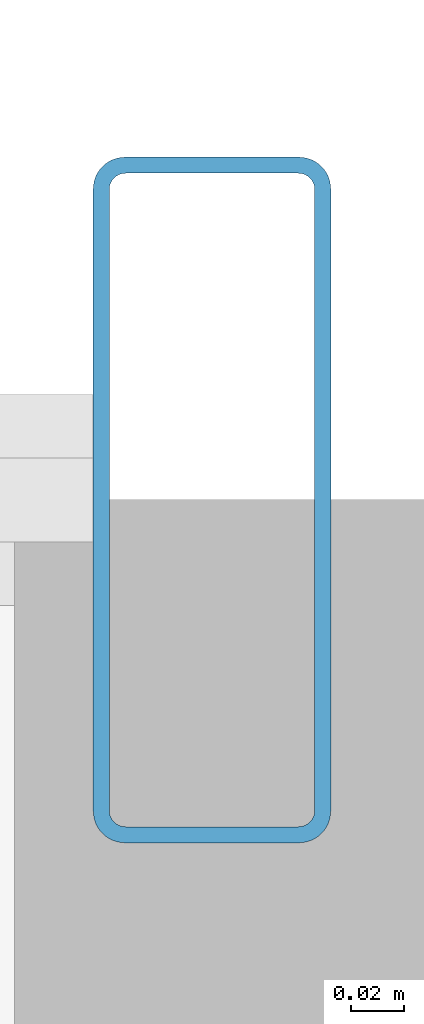
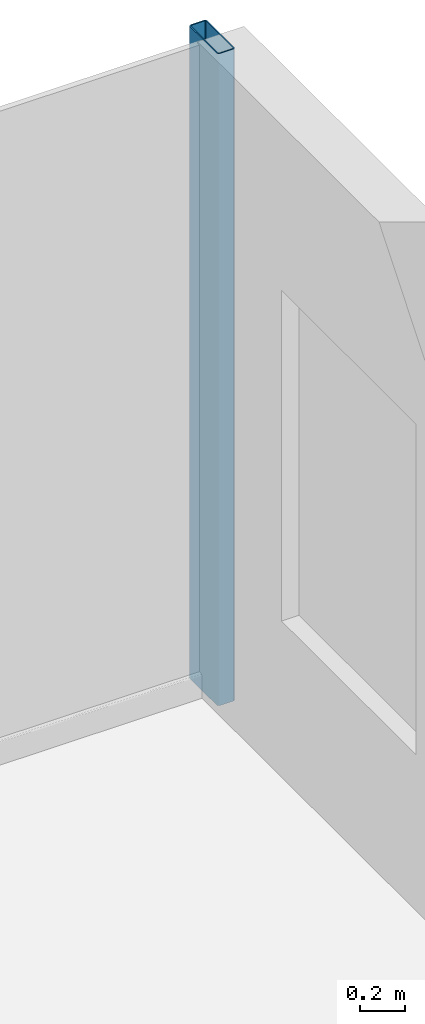
# One storey, part 14 of 25: 1 member, 1 element without a shape of its own.
"""IFC4 building model written with IfcOpenShell, lengths in metres."""

from ifc_helpers import new_model, si_unit, direction, frame, origin, origin_2d, place, context, subcontext, project, spatial, hollow_rectangle, extrude, source, transform, mapped, material, layer, layer_set, material_profile, profile_set, type_object, element, aggregate, save


model = new_model("IFC4")

# Units and contexts
model_context = context("Model", 3, precision=1e-05, world=origin(), true_north=direction((0.0, 1.0)))
body_context = subcontext(model_context, "Body", "Model", "MODEL_VIEW")
ifc_project = project(units=[si_unit("LENGTHUNIT", "METRE"), si_unit("AREAUNIT", "SQUARE_METRE"), si_unit("VOLUMEUNIT", "CUBIC_METRE"), si_unit("PLANEANGLEUNIT", "RADIAN"), si_unit("MASSUNIT", "GRAM", prefix="KILO")], contexts=[model_context])

# Site, building, storey
site_placement = place(None, origin())
site = spatial("IfcSite", under=ifc_project, at=site_placement, CompositionType="ELEMENT")
building_placement = place(site_placement, origin())
building = spatial("IfcBuilding", under=site, at=building_placement, Name="Nefas-Gora Pilgrimage Tower", CompositionType="ELEMENT")
storey_placement = place(building_placement, frame((0.0, 0.0, 109.800048828125)))
storey = spatial("IfcBuildingStorey", under=building, at=storey_placement, Name="L26", CompositionType="ELEMENT", Elevation=109.800048828125)

# Curtain wall, member
ifc_material_1 = material(Name="Dark ceramic-fritted solar-control aluminium-glass curtain wall", Category="aluminium")
ifc_layer = layer(ifc_material_1, 0.219970703125)
ifc_layer_set = layer_set([ifc_layer], Name="Dark ceramic-fritted solar-control aluminium-glass curtain wall")
curtain_wall_type = type_object("IfcCurtainWallType", Name="CW-SYS-2", PredefinedType="NOTDEFINED", material=ifc_layer_set)
curtain_wall_placement = place(storey_placement, origin())
curtain_wall = element("IfcCurtainWall", 1, at=curtain_wall_placement, inside=storey, type_object=curtain_wall_type, Name="L26 Unitised Curtain Wall CW2", PredefinedType="NOTDEFINED")
ifc_material_2 = material(Name="Anodised architectural aluminium", Category="aluminium")
ifc_material_profile = material_profile(ifc_material_2, hollow_rectangle(XDim=0.090087890625, YDim=0.260009765625, WallThickness=0.006103515625, InnerFilletRadius=0.006103515625, OuterFilletRadius=0.011962890625, at=origin_2d()), Name="ALU MULLION 90x260")
ifc_profile_set = profile_set([ifc_material_profile], Name="Anodised architectural aluminium")
member_type = type_object("IfcMemberType", Name="CWM-MUL-2", PredefinedType="MULLION", material=ifc_profile_set)
shared_shape = source(origin(), body_context, "Body", "SweptSolid", [
    extrude(hollow_rectangle(XDim=0.090087890625, YDim=0.260009765625, WallThickness=0.006103515625, InnerFilletRadius=0.006103515625, OuterFilletRadius=0.011962890625, at=origin_2d()), origin(), (0.0, 0.0, 1.0), 3.550048828125),
])
member_placement = place(storey_placement, frame((28.824951171875, 23.02001953125, 0.0), z_axis=(0.0, 0.0, 1.0), x_axis=(-1.0, 0.0, 0.0)))
member = element("IfcMember", 2, at=member_placement, type_object=member_type, Name="CW2 Mullion 1", PredefinedType="MULLION", context=body_context, shape_type="MappedRepresentation", body=[
    mapped(shared_shape, transform((0.0, 0.0, 0.0), x_axis=(1.0, 0.0, 0.0), y_axis=(0.0, 1.0, 0.0), z_axis=(0.0, 0.0, 1.0), scale=1.0)),
])
aggregate(curtain_wall, [member])

save(model, "model.ifc")
